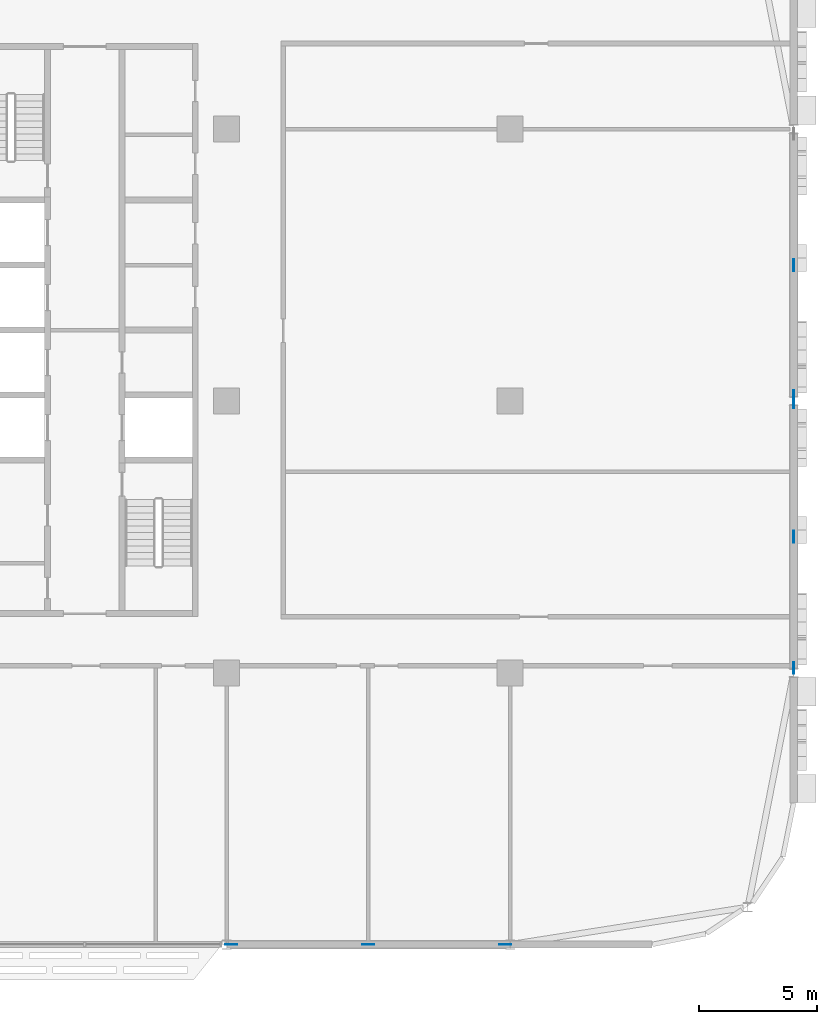
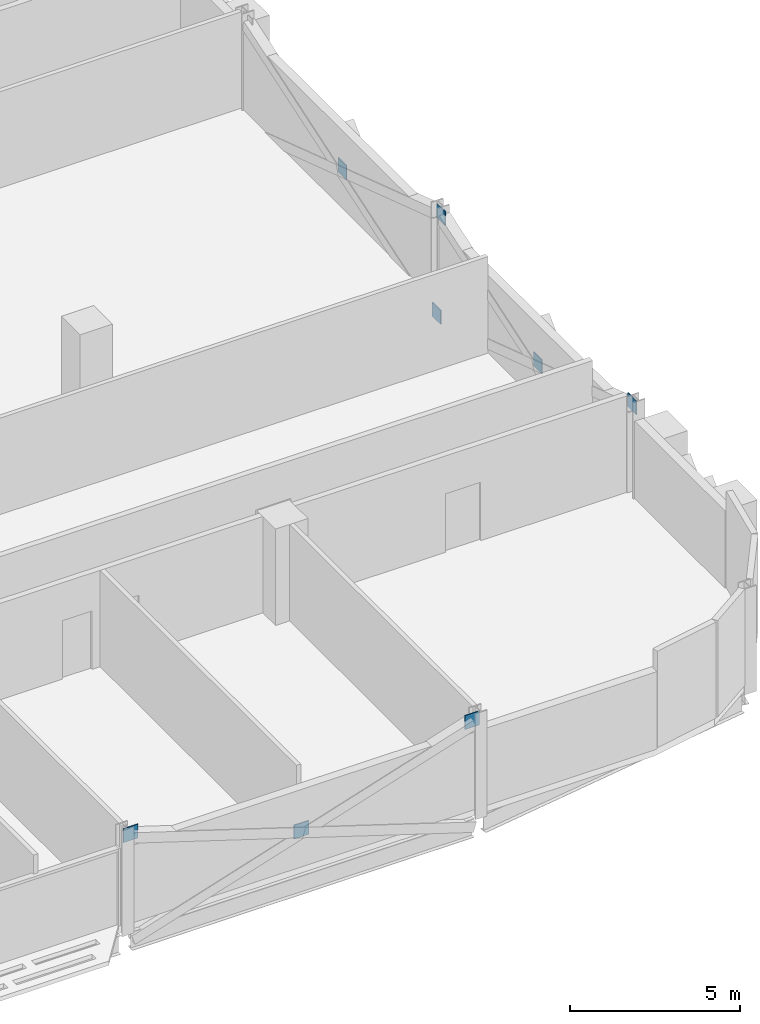
# One storey, part 23 of 30: 8 discrete accessories.
"""IFC4 building model written with IfcOpenShell, lengths in metres."""

from ifc_helpers import new_model, si_unit, direction, frame, origin, origin_2d, place, context, subcontext, project, spatial, rectangle, extrude, material, layer, layer_set, type_object, element, save


model = new_model("IFC4")

# Units and contexts
model_context = context("Model", 3, precision=1e-05, world=origin(), true_north=direction((0.0, 1.0)))
body_context = subcontext(model_context, "Body", "Model", "MODEL_VIEW")
ifc_project = project(units=[si_unit("LENGTHUNIT", "METRE"), si_unit("AREAUNIT", "SQUARE_METRE"), si_unit("VOLUMEUNIT", "CUBIC_METRE"), si_unit("PLANEANGLEUNIT", "RADIAN"), si_unit("MASSUNIT", "GRAM", prefix="KILO")], contexts=[model_context])

# Site, building, storey
site_placement = place(None, origin())
site = spatial("IfcSite", under=ifc_project, at=site_placement, CompositionType="ELEMENT")
building_placement = place(site_placement, origin())
building = spatial("IfcBuilding", under=site, at=building_placement, Name="Mahtab Terrace Research Tower", CompositionType="ELEMENT")
storey_placement = place(building_placement, frame((0.0, 0.0, 205.300048828125)))
storey = spatial("IfcBuildingStorey", under=building, at=storey_placement, Name="L49", CompositionType="ELEMENT", Elevation=205.300048828125)

# Discrete accessories
ifc_material = material(Name="Steel ASTM A992 Gr 50", Category="steel")
ifc_layer = layer(ifc_material, 0.030029296875)
ifc_layer_set = layer_set([ifc_layer], Name="Gusset plate 500x500x30")
discrete_accessory_type = type_object("IfcDiscreteAccessoryType", Name="Gusset plate 500x500x30", PredefinedType="USERDEFINED", material=ifc_layer_set)
for number, where, z_axis, x_axis, name in (
    (1, (30.20068359375, -23.0, 2.870849609375), (0.0, 0.0, 1.0), (1.0, 0.0, 0.0), "Gusset plate"),
    (2, (36.0, -23.0, 0.970947265625), (0.0, 0.0, 1.0), (1.0, 0.0, 0.0), "Gusset plate"),
    (3, (41.79931640625, -23.0, 2.870849609375), (0.0, 0.0, 1.0), (1.0, 0.0, 0.0), "Gusset plate"),
    (4, (54.0, -11.300537109375, 2.870849609375), (0.0, 0.0, 1.0), (0.0, 1.0, 0.0), "Gusset plate"),
    (5, (54.0, -5.75, 0.970947265625), (0.0, 0.0, 1.0), (0.0, 1.0, 0.0), "Gusset plate"),
    (6, (54.0, -0.06640625, 2.848876953125), (0.0, 0.0, 1.0), (0.0, 1.0, 0.0), "Gusset plate"),
    (7, (54.0, 0.199462890625, -0.86328125), (0.0, 0.0, 1.0), (0.0, 1.0, 0.0), "Gusset plate"),
    (8, (54.0, 5.75, 0.970947265625), (0.0, 0.0, 1.0), (0.0, 1.0, 0.0), "Gusset plate"),
):
    element("IfcDiscreteAccessory", number, at=place(storey_placement, frame(where, z_axis=z_axis, x_axis=x_axis)), inside=storey, type_object=discrete_accessory_type, Name=name, ObjectType="GUSSET PLATE", PredefinedType="USERDEFINED", context=body_context, shape_type="SweptSolid", body=[
        extrude(rectangle(XDim=0.5, YDim=0.030029296875, at=origin_2d()), origin(), (0.0, 0.0, 1.0), 0.5),
    ])

save(model, "model.ifc")
